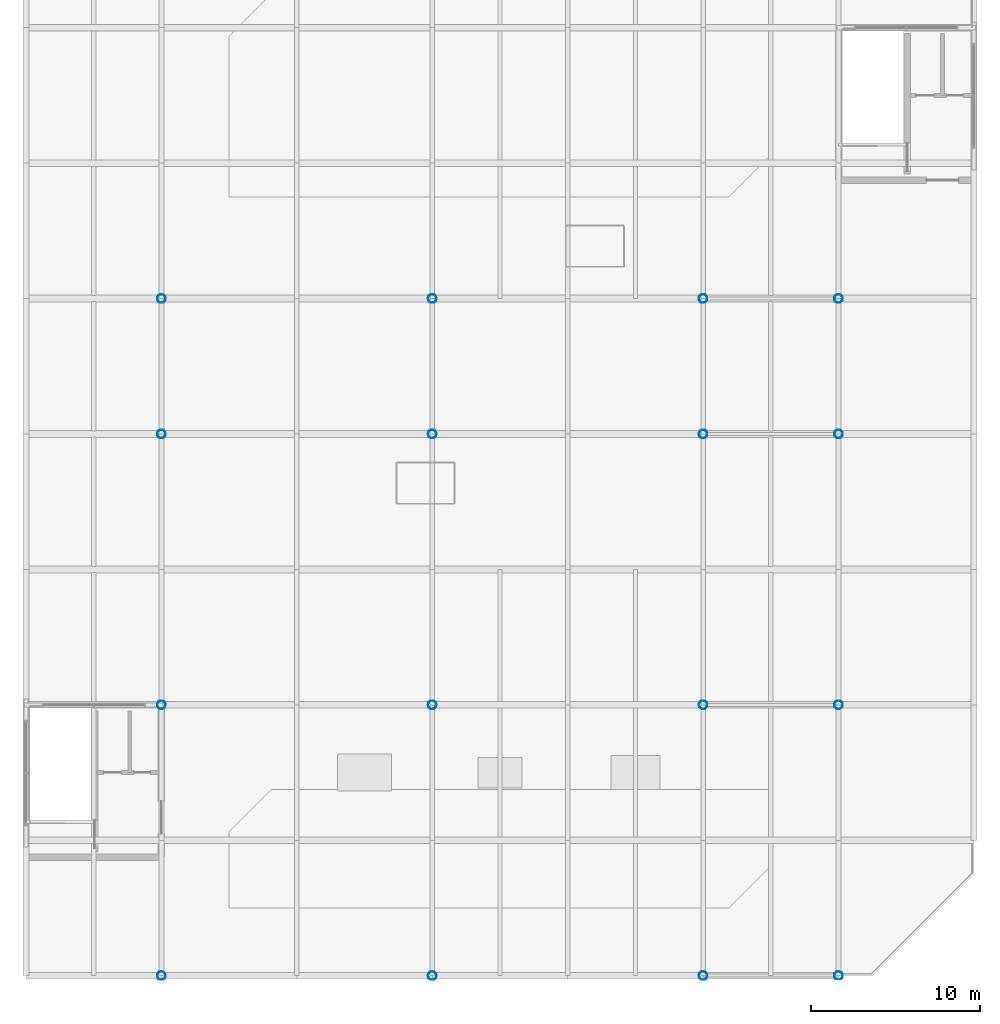
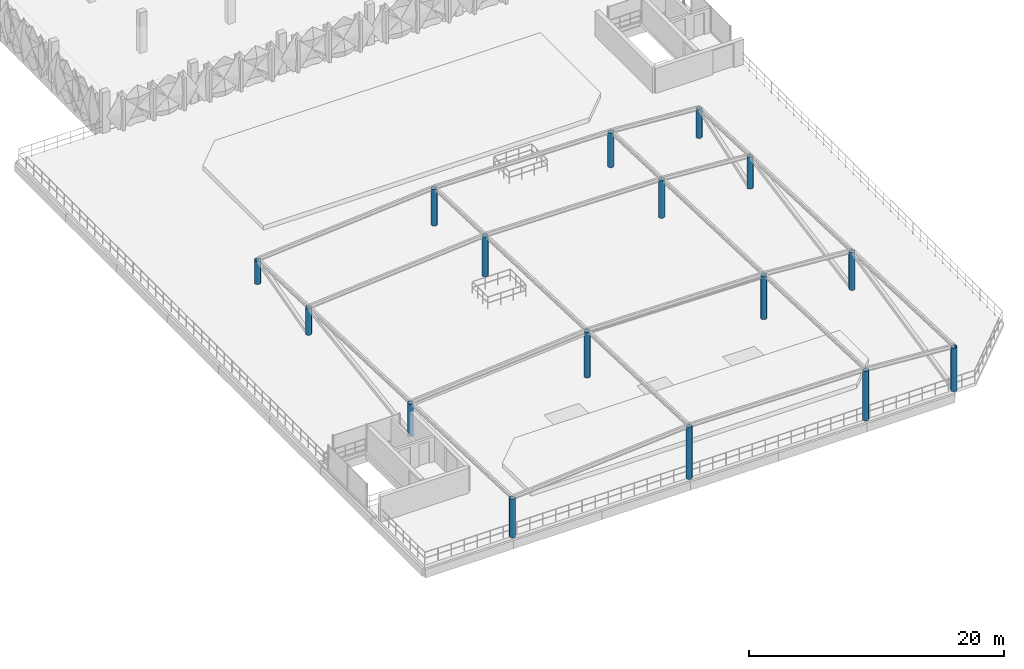
# One storey, part 4 of 76: 16 columns.
"""IFC4 building model written with IfcOpenShell, lengths in metres."""

from ifc_helpers import new_model, si_unit, derived_unit, direction, frame, origin, origin_2d, place, context, subcontext, project, spatial, hollow_circle, extrude, material, material_profile, profile_set, type_object, element, save


model = new_model("IFC4")

# Units and contexts
model_context = context("Model", 3, precision=1e-05, world=origin(), true_north=direction((0.0, 1.0)))
body_context = subcontext(model_context, "Body", "Model", "MODEL_VIEW")
ifc_project = project(units=[si_unit("LENGTHUNIT", "METRE"), si_unit("AREAUNIT", "SQUARE_METRE"), si_unit("VOLUMEUNIT", "CUBIC_METRE"), si_unit("PLANEANGLEUNIT", "RADIAN"), si_unit("MASSUNIT", "GRAM", prefix="KILO"), si_unit("THERMODYNAMICTEMPERATUREUNIT", "KELVIN"), derived_unit("THERMALTRANSMITTANCEUNIT", [(si_unit("POWERUNIT", "WATT"), 1), (si_unit("AREAUNIT", "SQUARE_METRE"), -1), (si_unit("THERMODYNAMICTEMPERATUREUNIT", "KELVIN"), -1)])], contexts=[model_context])

# Site, building, storey
site_placement = place(None, origin())
site = spatial("IfcSite", under=ifc_project, at=site_placement, CompositionType="ELEMENT")
building_placement = place(site_placement, origin())
building = spatial("IfcBuilding", under=site, at=building_placement, Name="Haiyu Intermodal Mobility Hub", CompositionType="ELEMENT")
storey_placement = place(building_placement, frame((0.0, 0.0, 17.300048828125)))
storey = spatial("IfcBuildingStorey", under=building, at=storey_placement, Name="L04", CompositionType="ELEMENT", Elevation=17.300048828125)

# Columns
ifc_material = material(Name="Steel Q355C", Category="steel")
ifc_material_profile = material_profile(ifc_material, hollow_circle(Radius=0.25390625, WallThickness=0.01611328125, at=origin_2d()), Name="CHS508x16")
ifc_profile_set = profile_set([ifc_material_profile], Name="Steel Q355C")
column_type = type_object("IfcColumnType", Name="COL-SC02-EXT", PredefinedType="COLUMN", material=ifc_profile_set)
column_1_placement = place(storey_placement, frame((162.0, 16.0, 0.0), z_axis=(0.0, 0.0, 1.0), x_axis=(1.0, 0.0, 0.0)))
element("IfcColumn", 1, at=column_1_placement, inside=storey, type_object=column_type, Name="COL-V5W-162-16", PredefinedType="COLUMN", context=body_context, shape_type="SweptSolid", body=[
    extrude(hollow_circle(Radius=0.25390625, WallThickness=0.01611328125, at=origin_2d()), origin(), (0.0, 0.0, 1.0), 3.679931640625),
])
column_2_placement = place(storey_placement, frame((162.0, 32.0, 0.0), z_axis=(0.0, 0.0, 1.0), x_axis=(1.0, 0.0, 0.0)))
element("IfcColumn", 2, at=column_2_placement, inside=storey, type_object=column_type, Name="COL-V5W-162-32", PredefinedType="COLUMN", context=body_context, shape_type="SweptSolid", body=[
    extrude(hollow_circle(Radius=0.25390625, WallThickness=0.01611328125, at=origin_2d()), origin(), (0.0, 0.0, 1.0), 3.099853515625),
])
column_3_placement = place(storey_placement, frame((162.0, 48.0, 0.0), z_axis=(0.0, 0.0, 1.0), x_axis=(1.0, 0.0, 0.0)))
element("IfcColumn", 3, at=column_3_placement, inside=storey, type_object=column_type, Name="COL-V5W-162-48", PredefinedType="COLUMN", context=body_context, shape_type="SweptSolid", body=[
    extrude(hollow_circle(Radius=0.25390625, WallThickness=0.01611328125, at=origin_2d()), origin(), (0.0, 0.0, 1.0), 2.52001953125),
])
column_4_placement = place(storey_placement, frame((162.0, 56.0, 0.0), z_axis=(0.0, 0.0, 1.0), x_axis=(1.0, 0.0, 0.0)))
element("IfcColumn", 4, at=column_4_placement, inside=storey, type_object=column_type, Name="COL-V5W-162-56", PredefinedType="COLUMN", context=body_context, shape_type="SweptSolid", body=[
    extrude(hollow_circle(Radius=0.25390625, WallThickness=0.01611328125, at=origin_2d()), origin(), (0.0, 0.0, 1.0), 2.22998046875),
])
column_5_placement = place(storey_placement, frame((178.0, 16.0, 0.0), z_axis=(0.0, 0.0, 1.0), x_axis=(1.0, 0.0, 0.0)))
element("IfcColumn", 5, at=column_5_placement, inside=storey, type_object=column_type, Name="COL-V5W-178-16", PredefinedType="COLUMN", context=body_context, shape_type="SweptSolid", body=[
    extrude(hollow_circle(Radius=0.25390625, WallThickness=0.01611328125, at=origin_2d()), origin(), (0.0, 0.0, 1.0), 4.973876953125),
])
column_6_placement = place(storey_placement, frame((178.0, 32.0, 0.0), z_axis=(0.0, 0.0, 1.0), x_axis=(1.0, 0.0, 0.0)))
element("IfcColumn", 6, at=column_6_placement, inside=storey, type_object=column_type, Name="COL-V5W-178-32", PredefinedType="COLUMN", context=body_context, shape_type="SweptSolid", body=[
    extrude(hollow_circle(Radius=0.25390625, WallThickness=0.01611328125, at=origin_2d()), origin(), (0.0, 0.0, 1.0), 4.39404296875),
])
column_7_placement = place(storey_placement, frame((178.0, 48.0, 0.0), z_axis=(0.0, 0.0, 1.0), x_axis=(1.0, 0.0, 0.0)))
element("IfcColumn", 7, at=column_7_placement, inside=storey, type_object=column_type, Name="COL-V5W-178-48", PredefinedType="COLUMN", context=body_context, shape_type="SweptSolid", body=[
    extrude(hollow_circle(Radius=0.25390625, WallThickness=0.01611328125, at=origin_2d()), origin(), (0.0, 0.0, 1.0), 3.81396484375),
])
column_8_placement = place(storey_placement, frame((178.0, 56.0, 0.0), z_axis=(0.0, 0.0, 1.0), x_axis=(1.0, 0.0, 0.0)))
element("IfcColumn", 8, at=column_8_placement, inside=storey, type_object=column_type, Name="COL-V5W-178-56", PredefinedType="COLUMN", context=body_context, shape_type="SweptSolid", body=[
    extrude(hollow_circle(Radius=0.25390625, WallThickness=0.01611328125, at=origin_2d()), origin(), (0.0, 0.0, 1.0), 3.52392578125),
])
column_9_placement = place(storey_placement, frame((194.0, 16.0, 0.0), z_axis=(0.0, 0.0, 1.0), x_axis=(1.0, 0.0, 0.0)))
element("IfcColumn", 9, at=column_9_placement, inside=storey, type_object=column_type, Name="COL-V5W-194-16", PredefinedType="COLUMN", context=body_context, shape_type="SweptSolid", body=[
    extrude(hollow_circle(Radius=0.25390625, WallThickness=0.01611328125, at=origin_2d()), origin(), (0.0, 0.0, 1.0), 4.755859375),
])
column_10_placement = place(storey_placement, frame((194.0, 32.0, 0.0), z_axis=(0.0, 0.0, 1.0), x_axis=(1.0, 0.0, 0.0)))
element("IfcColumn", 10, at=column_10_placement, inside=storey, type_object=column_type, Name="COL-V5W-194-32", PredefinedType="COLUMN", context=body_context, shape_type="SweptSolid", body=[
    extrude(hollow_circle(Radius=0.25390625, WallThickness=0.01611328125, at=origin_2d()), origin(), (0.0, 0.0, 1.0), 4.176025390625),
])
column_11_placement = place(storey_placement, frame((194.0, 48.0, 0.0), z_axis=(0.0, 0.0, 1.0), x_axis=(1.0, 0.0, 0.0)))
element("IfcColumn", 11, at=column_11_placement, inside=storey, type_object=column_type, Name="COL-V5W-194-48", PredefinedType="COLUMN", context=body_context, shape_type="SweptSolid", body=[
    extrude(hollow_circle(Radius=0.25390625, WallThickness=0.01611328125, at=origin_2d()), origin(), (0.0, 0.0, 1.0), 3.595947265625),
])
column_12_placement = place(storey_placement, frame((194.0, 56.0, 0.0), z_axis=(0.0, 0.0, 1.0), x_axis=(1.0, 0.0, 0.0)))
element("IfcColumn", 12, at=column_12_placement, inside=storey, type_object=column_type, Name="COL-V5W-194-56", PredefinedType="COLUMN", context=body_context, shape_type="SweptSolid", body=[
    extrude(hollow_circle(Radius=0.25390625, WallThickness=0.01611328125, at=origin_2d()), origin(), (0.0, 0.0, 1.0), 3.305908203125),
])
column_13_placement = place(storey_placement, frame((202.0, 16.0, 0.0), z_axis=(0.0, 0.0, 1.0), x_axis=(1.0, 0.0, 0.0)))
element("IfcColumn", 13, at=column_13_placement, inside=storey, type_object=column_type, Name="COL-V5W-202-16", PredefinedType="COLUMN", context=body_context, shape_type="SweptSolid", body=[
    extrude(hollow_circle(Radius=0.25390625, WallThickness=0.01611328125, at=origin_2d()), origin(), (0.0, 0.0, 1.0), 4.179931640625),
])
column_14_placement = place(storey_placement, frame((202.0, 32.0, 0.0), z_axis=(0.0, 0.0, 1.0), x_axis=(1.0, 0.0, 0.0)))
element("IfcColumn", 14, at=column_14_placement, inside=storey, type_object=column_type, Name="COL-V5W-202-32", PredefinedType="COLUMN", context=body_context, shape_type="SweptSolid", body=[
    extrude(hollow_circle(Radius=0.25390625, WallThickness=0.01611328125, at=origin_2d()), origin(), (0.0, 0.0, 1.0), 3.599853515625),
])
column_15_placement = place(storey_placement, frame((202.0, 48.0, 0.0), z_axis=(0.0, 0.0, 1.0), x_axis=(1.0, 0.0, 0.0)))
element("IfcColumn", 15, at=column_15_placement, inside=storey, type_object=column_type, Name="COL-V5W-202-48", PredefinedType="COLUMN", context=body_context, shape_type="SweptSolid", body=[
    extrude(hollow_circle(Radius=0.25390625, WallThickness=0.01611328125, at=origin_2d()), origin(), (0.0, 0.0, 1.0), 3.02001953125),
])
column_16_placement = place(storey_placement, frame((202.0, 56.0, 0.0), z_axis=(0.0, 0.0, 1.0), x_axis=(1.0, 0.0, 0.0)))
element("IfcColumn", 16, at=column_16_placement, inside=storey, type_object=column_type, Name="COL-V5W-202-56", PredefinedType="COLUMN", context=body_context, shape_type="SweptSolid", body=[
    extrude(hollow_circle(Radius=0.25390625, WallThickness=0.01611328125, at=origin_2d()), origin(), (0.0, 0.0, 1.0), 2.72998046875),
])

save(model, "model.ifc")
